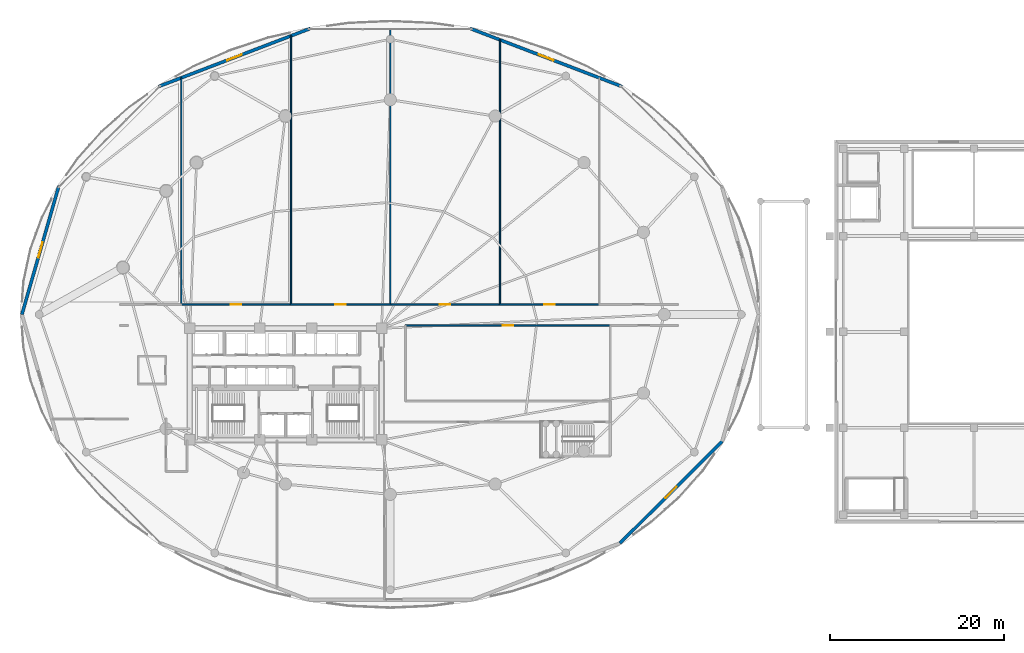
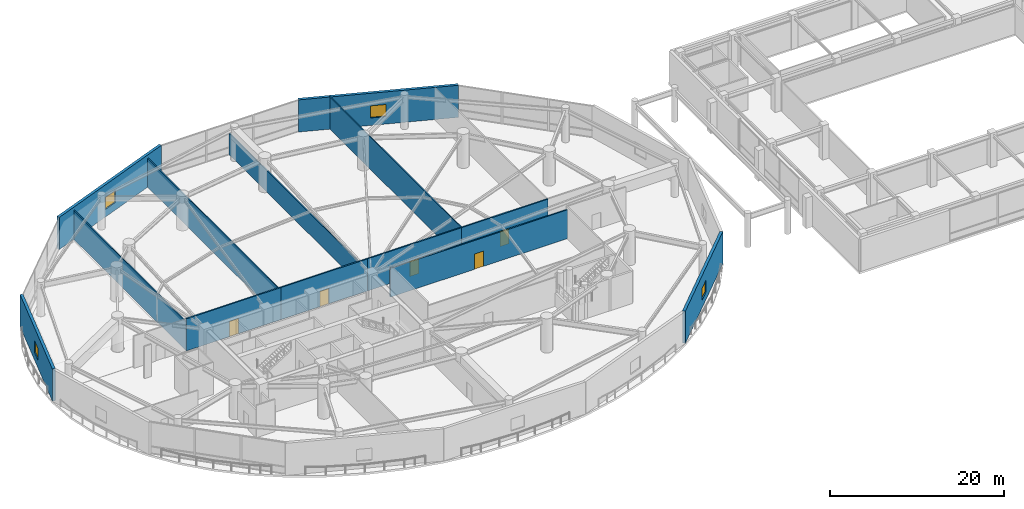
# One storey, part 29 of 36: 13 walls, 5 doors, 4 windows, 9 openings.
"""IFC4 building model written with IfcOpenShell, lengths in metres."""

from ifc_helpers import new_model, si_unit, direction, frame, frame_2d, origin, place, context, subcontext, project, spatial, rectangle, extrude, material, layer, layer_set, type_object, element, fill, save


model = new_model("IFC4")

# Units and contexts
model_context = context("Model", 3, precision=1e-05, world=origin(), true_north=direction((0.0, 1.0)))
body_context = subcontext(model_context, "Body", "Model", "MODEL_VIEW")
ifc_project = project(units=[si_unit("LENGTHUNIT", "METRE"), si_unit("AREAUNIT", "SQUARE_METRE"), si_unit("VOLUMEUNIT", "CUBIC_METRE"), si_unit("PLANEANGLEUNIT", "RADIAN"), si_unit("MASSUNIT", "GRAM", prefix="KILO")], contexts=[model_context])

# Site, building, storey
site_placement = place(None, origin())
site = spatial("IfcSite", under=ifc_project, at=site_placement, CompositionType="ELEMENT")
building_placement = place(site_placement, origin())
building = spatial("IfcBuilding", under=site, at=building_placement, Name="Kazevale Care Tower and Concert Hall", CompositionType="ELEMENT")
storey_placement = place(building_placement, frame((0.0, 0.0, 14.39990234375)))
storey = spatial("IfcBuildingStorey", under=building, at=storey_placement, Name="L03", CompositionType="ELEMENT", Elevation=14.39990234375)

# Walls
ifc_material_1 = material(Name="Acoustic Gypsum on Steel Stud", Category="steel")
ifc_layer_1 = layer(ifc_material_1, 0.139892578125)
ifc_layer_set_1 = layer_set([ifc_layer_1], Name="Acoustic Gypsum on Steel Stud")
wall_type_1 = type_object("IfcWallType", Name="Acoustic Care & Suite Partition 140", PredefinedType="PARTITIONING", material=ifc_layer_set_1)
wall_1_placement = place(storey_placement, frame((21.0, 65.14697265625, 0.0), z_axis=(0.0, 0.0, 1.0), x_axis=(0.0, -1.0, 0.0)))
element("IfcWall", 1, at=wall_1_placement, inside=storey, type_object=wall_type_1, Name="wall:L03:auto_017", PredefinedType="PARTITIONING", context=body_context, shape_type="SweptSolid", body=[
    extrude(rectangle(XDim=26.052001953125, YDim=0.139892578125, at=frame_2d((13.02587890625, 0.0))), origin(), (0.0, 0.0, 1.0), 4.050048828125),
])
wall_2_placement = place(storey_placement, frame((33.60009765625, 69.96630859375, 0.0), z_axis=(0.0, 0.0, 1.0), x_axis=(0.0, -1.0, 0.0)))
element("IfcWall", 2, at=wall_2_placement, inside=storey, type_object=wall_type_1, Name="wall:L03:auto_018", PredefinedType="PARTITIONING", context=body_context, shape_type="SweptSolid", body=[
    extrude(rectangle(XDim=30.871337890625, YDim=0.139892578125, at=frame_2d((15.435546875, 0.0))), origin(), (0.0, 0.0, 1.0), 4.050048828125),
])
wall_3_placement = place(storey_placement, frame((45.0, 70.72802734375, 0.0), z_axis=(0.0, 0.0, 1.0), x_axis=(0.0, -1.0, 0.0)))
element("IfcWall", 3, at=wall_3_placement, inside=storey, type_object=wall_type_1, Name="wall:L03:auto_019", PredefinedType="PARTITIONING", context=body_context, shape_type="SweptSolid", body=[
    extrude(rectangle(XDim=31.633056640625, YDim=0.139892578125, at=frame_2d((15.81640625, 0.0))), origin(), (0.0, 0.0, 1.0), 3.010009765625),
])
wall_4_placement = place(storey_placement, frame((57.60009765625, 69.507080078125, 0.0), z_axis=(0.0, 0.0, 1.0), x_axis=(0.0, -1.0, 0.0)))
element("IfcWall", 4, at=wall_4_placement, inside=storey, type_object=wall_type_1, Name="wall:L03:auto_020", PredefinedType="PARTITIONING", context=body_context, shape_type="SweptSolid", body=[
    extrude(rectangle(XDim=30.412109375, YDim=0.139892578125, at=frame_2d((15.2060546875, 0.0))), origin(), (0.0, 0.0, 1.0), 4.52001953125),
])

# Wall, opening, door
ifc_material_2 = material(Name="Concrete C40 and Acoustic Gypsum", Category="concrete")
ifc_layer_2 = layer(ifc_material_2, 0.179931640625)
ifc_layer_set_2 = layer_set([ifc_layer_2], Name="Concrete C40 and Acoustic Gypsum")
wall_type_2 = type_object("IfcWallType", Name="Fire-Rated Corridor & Party Wall 180", PredefinedType="PARTITIONING", material=ifc_layer_set_2)
wall_5_placement = place(storey_placement, frame((20.93505859375, 39.125, 0.0), z_axis=(0.0, 0.0, 1.0), x_axis=(1.0, 0.0, 0.0)))
wall_5 = element("IfcWall", 5, at=wall_5_placement, inside=storey, type_object=wall_type_2, Name="wall:L03:auto_002", PredefinedType="PARTITIONING", context=body_context, shape_type="SweptSolid", body=[
    extrude(rectangle(XDim=12.72998046875, YDim=0.179931640625, at=frame_2d((6.364990234375, 0.0))), origin(), (0.0, 0.0, 1.0), 4.52001953125),
])
opening_1_placement = place(wall_5_placement, frame((5.764892578125, 0.0, 0.0)))
opening_1 = element("IfcOpeningElement", 6, at=opening_1_placement, cuts=wall_5, Name="Opening ID-1200", PredefinedType="OPENING", context=body_context, shape_type="SweptSolid", body=[
    extrude(rectangle(XDim=1.199951171875, YDim=2.14990234375, at=frame_2d((0.60009765625, 1.074951171875))), frame((0.0, 0.099853515625, 0.0), z_axis=(0.0, -1.0, 0.0), x_axis=(1.0, 0.0, 0.0)), (0.0, 0.0, 1.0), 0.199951171875),
])
ifc_material_3 = material(Name="Oak Timber Fire Leaf", Category="wood")
door_type = type_object("IfcDoorType", Name="Clinical & Therapy Door 1200x2150", OperationType="NOTDEFINED", PredefinedType="DOOR", material=ifc_material_3)
door_1_placement = place(opening_1_placement, origin())
door_1 = element("IfcDoor", 7, at=door_1_placement, inside=storey, type_object=door_type, Name="door:L03:ad_002", OperationType="SINGLE_SWING_LEFT", OverallHeight=2.14990234375, OverallWidth=1.199951171875, PredefinedType="DOOR", context=body_context, shape_type="SweptSolid", body=[
    extrude(rectangle(XDim=1.199951171875, YDim=2.14990234375, at=frame_2d((0.60009765625, 1.074951171875))), frame((0.0, 0.02490234375, 0.0), z_axis=(0.0, -1.0, 0.0), x_axis=(1.0, 0.0, 0.0)), (0.0, 0.0, 1.0), 0.050048828125),
])
fill(opening_1, door_1)

wall_6_placement = place(storey_placement, frame((33.534912109375, 39.125, 0.0), z_axis=(0.0, 0.0, 1.0), x_axis=(1.0, 0.0, 0.0)))
wall_6 = element("IfcWall", 8, at=wall_6_placement, inside=storey, type_object=wall_type_2, Name="wall:L03:auto_003", PredefinedType="PARTITIONING", context=body_context, shape_type="SweptSolid", body=[
    extrude(rectangle(XDim=11.530029296875, YDim=0.179931640625, at=frame_2d((5.76513671875, 0.0))), origin(), (0.0, 0.0, 1.0), 4.52001953125),
])
opening_2_placement = place(wall_6_placement, frame((5.1650390625, 0.0, 0.0)))
opening_2 = element("IfcOpeningElement", 9, at=opening_2_placement, cuts=wall_6, Name="Opening ID-1200", PredefinedType="OPENING", context=body_context, shape_type="SweptSolid", body=[
    extrude(rectangle(XDim=1.199951171875, YDim=2.14990234375, at=frame_2d((0.60009765625, 1.074951171875))), frame((0.0, 0.099853515625, 0.0), z_axis=(0.0, -1.0, 0.0), x_axis=(1.0, 0.0, 0.0)), (0.0, 0.0, 1.0), 0.199951171875),
])
door_2_placement = place(opening_2_placement, origin())
door_2 = element("IfcDoor", 10, at=door_2_placement, inside=storey, type_object=door_type, Name="door:L03:ad_003", OperationType="SINGLE_SWING_LEFT", OverallHeight=2.14990234375, OverallWidth=1.199951171875, PredefinedType="DOOR", context=body_context, shape_type="SweptSolid", body=[
    extrude(rectangle(XDim=1.199951171875, YDim=2.14990234375, at=frame_2d((0.60009765625, 1.074951171875))), frame((0.0, 0.02490234375, 0.0), z_axis=(0.0, -1.0, 0.0), x_axis=(1.0, 0.0, 0.0)), (0.0, 0.0, 1.0), 0.050048828125),
])
fill(opening_2, door_2)

wall_7_placement = place(storey_placement, frame((44.93505859375, 39.125, 0.0), z_axis=(0.0, 0.0, 1.0), x_axis=(1.0, 0.0, 0.0)))
wall_7 = element("IfcWall", 11, at=wall_7_placement, inside=storey, type_object=wall_type_2, Name="wall:L03:auto_004", PredefinedType="PARTITIONING", context=body_context, shape_type="SweptSolid", body=[
    extrude(rectangle(XDim=12.72998046875, YDim=0.179931640625, at=frame_2d((6.364990234375, 0.0))), origin(), (0.0, 0.0, 1.0), 4.52001953125),
])
opening_3_placement = place(wall_7_placement, frame((5.764892578125, 0.0, 0.0)))
opening_3 = element("IfcOpeningElement", 12, at=opening_3_placement, cuts=wall_7, Name="Opening ID-1200", PredefinedType="OPENING", context=body_context, shape_type="SweptSolid", body=[
    extrude(rectangle(XDim=1.199951171875, YDim=2.14990234375, at=frame_2d((0.60009765625, 1.074951171875))), frame((0.0, 0.099853515625, 0.0), z_axis=(0.0, -1.0, 0.0), x_axis=(1.0, 0.0, 0.0)), (0.0, 0.0, 1.0), 0.199951171875),
])
door_3_placement = place(opening_3_placement, origin())
door_3 = element("IfcDoor", 13, at=door_3_placement, inside=storey, type_object=door_type, Name="door:L03:ad_004", OperationType="SINGLE_SWING_LEFT", OverallHeight=2.14990234375, OverallWidth=1.199951171875, PredefinedType="DOOR", context=body_context, shape_type="SweptSolid", body=[
    extrude(rectangle(XDim=1.199951171875, YDim=2.14990234375, at=frame_2d((0.60009765625, 1.074951171875))), frame((0.0, 0.02490234375, 0.0), z_axis=(0.0, -1.0, 0.0), x_axis=(1.0, 0.0, 0.0)), (0.0, 0.0, 1.0), 0.050048828125),
])
fill(opening_3, door_3)

wall_8_placement = place(storey_placement, frame((57.534912109375, 39.125, 0.0), z_axis=(0.0, 0.0, 1.0), x_axis=(1.0, 0.0, 0.0)))
wall_8 = element("IfcWall", 14, at=wall_8_placement, inside=storey, type_object=wall_type_2, Name="wall:L03:auto_005", PredefinedType="PARTITIONING", context=body_context, shape_type="SweptSolid", body=[
    extrude(rectangle(XDim=11.530029296875, YDim=0.179931640625, at=frame_2d((5.76513671875, 0.0))), origin(), (0.0, 0.0, 1.0), 4.52001953125),
])
opening_4_placement = place(wall_8_placement, frame((5.1650390625, 0.0, 0.0)))
opening_4 = element("IfcOpeningElement", 15, at=opening_4_placement, cuts=wall_8, Name="Opening ID-1200", PredefinedType="OPENING", context=body_context, shape_type="SweptSolid", body=[
    extrude(rectangle(XDim=1.199951171875, YDim=2.14990234375, at=frame_2d((0.60009765625, 1.074951171875))), frame((0.0, 0.099853515625, 0.0), z_axis=(0.0, -1.0, 0.0), x_axis=(1.0, 0.0, 0.0)), (0.0, 0.0, 1.0), 0.199951171875),
])
door_4_placement = place(opening_4_placement, origin())
door_4 = element("IfcDoor", 16, at=door_4_placement, inside=storey, type_object=door_type, Name="door:L03:ad_005", OperationType="SINGLE_SWING_LEFT", OverallHeight=2.14990234375, OverallWidth=1.199951171875, PredefinedType="DOOR", context=body_context, shape_type="SweptSolid", body=[
    extrude(rectangle(XDim=1.199951171875, YDim=2.14990234375, at=frame_2d((0.60009765625, 1.074951171875))), frame((0.0, 0.02490234375, 0.0), z_axis=(0.0, -1.0, 0.0), x_axis=(1.0, 0.0, 0.0)), (0.0, 0.0, 1.0), 0.050048828125),
])
fill(opening_4, door_4)

wall_9_placement = place(storey_placement, frame((70.31494140625, 36.72509765625, 0.0), z_axis=(0.0, 0.0, 1.0), x_axis=(-1.0, 0.0, 0.0)))
wall_9 = element("IfcWall", 17, at=wall_9_placement, inside=storey, type_object=wall_type_2, Name="wall:L03:auto_008", PredefinedType="PARTITIONING", context=body_context, shape_type="SweptSolid", body=[
    extrude(rectangle(XDim=23.619873046875, YDim=0.179931640625, at=frame_2d((11.81005859375, 0.0))), origin(), (0.0, 0.0, 1.0), 4.050048828125),
])
opening_5_placement = place(wall_9_placement, frame((11.2099609375, 0.0, 0.0)))
opening_5 = element("IfcOpeningElement", 18, at=opening_5_placement, cuts=wall_9, Name="Opening ID-1200", PredefinedType="OPENING", context=body_context, shape_type="SweptSolid", body=[
    extrude(rectangle(XDim=1.199951171875, YDim=2.14990234375, at=frame_2d((0.60009765625, 1.074951171875))), frame((0.0, 0.099853515625, 0.0), z_axis=(0.0, -1.0, 0.0), x_axis=(1.0, 0.0, 0.0)), (0.0, 0.0, 1.0), 0.199951171875),
])
door_5_placement = place(opening_5_placement, origin())
door_5 = element("IfcDoor", 19, at=door_5_placement, inside=storey, type_object=door_type, Name="door:L03:ad_008", OperationType="SINGLE_SWING_LEFT", OverallHeight=2.14990234375, OverallWidth=1.199951171875, PredefinedType="DOOR", context=body_context, shape_type="SweptSolid", body=[
    extrude(rectangle(XDim=1.199951171875, YDim=2.14990234375, at=frame_2d((0.60009765625, 1.074951171875))), frame((0.0, 0.02490234375, 0.0), z_axis=(0.0, -1.0, 0.0), x_axis=(1.0, 0.0, 0.0)), (0.0, 0.0, 1.0), 0.050048828125),
])
fill(opening_5, door_5)

# Wall, opening, window
ifc_material_4 = material(Name="Concrete C40 with Honed Limestone Cladding", Category="masonry")
ifc_layer_3 = layer(ifc_material_4, 0.360107421875)
ifc_layer_set_3 = layer_set([ifc_layer_3], Name="Concrete C40 with Honed Limestone Cladding")
wall_type_3 = type_object("IfcWallType", Name="Podium Insulated Limestone Wall 360", PredefinedType="STANDARD", material=ifc_layer_set_3)
wall_10_placement = place(storey_placement, frame((71.60400390625, 64.160888671875, 0.0), z_axis=(0.0, 0.0, 1.0), x_axis=(-0.934010262022, 0.357246176238, 0.0)))
wall_10 = element("IfcWall", 20, at=wall_10_placement, inside=storey, type_object=wall_type_3, Name="wall:L03:podew:03", PredefinedType="STANDARD", context=body_context, shape_type="SweptSolid", body=[
    extrude(rectangle(XDim=18.671142578125, YDim=0.360107421875, at=frame_2d((9.33544921875, 0.0))), origin(), (0.0, 0.0, 1.0), 4.52001953125),
])
opening_6_placement = place(wall_10_placement, frame((8.43603515625, 0.0, 1.050048828125)))
opening_6 = element("IfcOpeningElement", 21, at=opening_6_placement, cuts=wall_10, Name="Opening WIN-2", PredefinedType="OPENING", context=body_context, shape_type="SweptSolid", body=[
    extrude(rectangle(XDim=1.800048828125, YDim=1.699951171875, at=frame_2d((0.89990234375, 0.85009765625))), frame((0.0, 0.18994140625, 0.0), z_axis=(0.0, -1.0, 0.0), x_axis=(1.0, 0.0, 0.0)), (0.0, 0.0, 1.0), 0.380126953125),
])
ifc_material_5 = material(Name="Low-E Laminated Glass", Category="glass")
window_type = type_object("IfcWindowType", Name="Clinical Punched Window 1800x1700", PartitioningType="DOUBLE_PANEL_VERTICAL", PredefinedType="WINDOW", material=ifc_material_5)
window_1_placement = place(opening_6_placement, origin())
window_1 = element("IfcWindow", 22, at=window_1_placement, inside=storey, type_object=window_type, Name="win:L03:pod:03", OverallHeight=1.699951171875, OverallWidth=1.800048828125, PartitioningType="SINGLE_PANEL", PredefinedType="WINDOW", context=body_context, shape_type="SweptSolid", body=[
    extrude(rectangle(XDim=1.800048828125, YDim=1.699951171875, at=frame_2d((0.89990234375, 0.85009765625))), frame((0.0, 0.030029296875, 0.0), z_axis=(0.0, -1.0, 0.0), x_axis=(1.0, 0.0, 0.0)), (0.0, 0.0, 1.0), 0.06005859375),
])
fill(opening_6, window_1)

wall_11_placement = place(storey_placement, frame((35.8349609375, 70.8310546875, 0.0), z_axis=(0.0, 0.0, 1.0), x_axis=(-0.934010262022, -0.357246176238, 0.0)))
wall_11 = element("IfcWall", 23, at=wall_11_placement, inside=storey, type_object=wall_type_3, Name="wall:L03:podew:05", PredefinedType="STANDARD", context=body_context, shape_type="SweptSolid", body=[
    extrude(rectangle(XDim=18.671142578125, YDim=0.360107421875, at=frame_2d((9.33544921875, 0.0))), origin(), (0.0, 0.0, 1.0), 4.52001953125),
])
opening_7_placement = place(wall_11_placement, frame((8.43603515625, 0.0, 1.050048828125)))
opening_7 = element("IfcOpeningElement", 24, at=opening_7_placement, cuts=wall_11, Name="Opening WIN-2", PredefinedType="OPENING", context=body_context, shape_type="SweptSolid", body=[
    extrude(rectangle(XDim=1.800048828125, YDim=1.699951171875, at=frame_2d((0.89990234375, 0.85009765625))), frame((0.0, 0.18994140625, 0.0), z_axis=(0.0, -1.0, 0.0), x_axis=(1.0, 0.0, 0.0)), (0.0, 0.0, 1.0), 0.380126953125),
])
window_2_placement = place(opening_7_placement, origin())
window_2 = element("IfcWindow", 25, at=window_2_placement, inside=storey, type_object=window_type, Name="win:L03:pod:05", OverallHeight=1.699951171875, OverallWidth=1.800048828125, PartitioningType="SINGLE_PANEL", PredefinedType="WINDOW", context=body_context, shape_type="SweptSolid", body=[
    extrude(rectangle(XDim=1.800048828125, YDim=1.699951171875, at=frame_2d((0.89990234375, 0.85009765625))), frame((0.0, 0.030029296875, 0.0), z_axis=(0.0, -1.0, 0.0), x_axis=(1.0, 0.0, 0.0)), (0.0, 0.0, 1.0), 0.06005859375),
])
fill(opening_7, window_2)

wall_12_placement = place(storey_placement, frame((6.97900390625, 52.820068359375, 0.0), z_axis=(0.0, 0.0, 1.0), x_axis=(-0.276203409751, -0.961099202186, 0.0)))
wall_12 = element("IfcWall", 26, at=wall_12_placement, inside=storey, type_object=wall_type_3, Name="wall:L03:podew:07", PredefinedType="STANDARD", context=body_context, shape_type="SweptSolid", body=[
    extrude(rectangle(XDim=15.419921875, YDim=0.360107421875, at=frame_2d((7.7099609375, 0.0))), origin(), (0.0, 0.0, 1.0), 4.52001953125),
])
opening_8_placement = place(wall_12_placement, frame((6.81005859375, 0.0, 1.050048828125)))
opening_8 = element("IfcOpeningElement", 27, at=opening_8_placement, cuts=wall_12, Name="Opening WIN-2", PredefinedType="OPENING", context=body_context, shape_type="SweptSolid", body=[
    extrude(rectangle(XDim=1.800048828125, YDim=1.699951171875, at=frame_2d((0.89990234375, 0.85009765625))), frame((0.0, 0.18994140625, 0.0), z_axis=(0.0, -1.0, 0.0), x_axis=(1.0, 0.0, 0.0)), (0.0, 0.0, 1.0), 0.380126953125),
])
window_3_placement = place(opening_8_placement, origin())
window_3 = element("IfcWindow", 28, at=window_3_placement, inside=storey, type_object=window_type, Name="win:L03:pod:07", OverallHeight=1.699951171875, OverallWidth=1.800048828125, PartitioningType="SINGLE_PANEL", PredefinedType="WINDOW", context=body_context, shape_type="SweptSolid", body=[
    extrude(rectangle(XDim=1.800048828125, YDim=1.699951171875, at=frame_2d((0.89990234375, 0.85009765625))), frame((0.0, 0.030029296875, 0.0), z_axis=(0.0, -1.0, 0.0), x_axis=(1.0, 0.0, 0.0)), (0.0, 0.0, 1.0), 0.06005859375),
])
fill(opening_8, window_3)

wall_13_placement = place(storey_placement, frame((71.361083984375, 11.74609375, 0.0), z_axis=(0.0, 0.0, 1.0), x_axis=(0.708557675059, 0.705652904135, 0.0)))
wall_13 = element("IfcWall", 29, at=wall_13_placement, inside=storey, type_object=wall_type_3, Name="wall:L03:podew:13", PredefinedType="STANDARD", context=body_context, shape_type="SweptSolid", body=[
    extrude(rectangle(XDim=16.557373046875, YDim=0.360107421875, at=frame_2d((8.27880859375, 0.0))), origin(), (0.0, 0.0, 1.0), 4.52001953125),
])
opening_9_placement = place(wall_13_placement, frame((7.37890625, 0.0, 1.050048828125)))
opening_9 = element("IfcOpeningElement", 30, at=opening_9_placement, cuts=wall_13, Name="Opening WIN-2", PredefinedType="OPENING", context=body_context, shape_type="SweptSolid", body=[
    extrude(rectangle(XDim=1.800048828125, YDim=1.699951171875, at=frame_2d((0.89990234375, 0.85009765625))), frame((0.0, 0.18994140625, 0.0), z_axis=(0.0, -1.0, 0.0), x_axis=(1.0, 0.0, 0.0)), (0.0, 0.0, 1.0), 0.380126953125),
])
window_4_placement = place(opening_9_placement, origin())
window_4 = element("IfcWindow", 31, at=window_4_placement, inside=storey, type_object=window_type, Name="win:L03:pod:13", OverallHeight=1.699951171875, OverallWidth=1.800048828125, PartitioningType="SINGLE_PANEL", PredefinedType="WINDOW", context=body_context, shape_type="SweptSolid", body=[
    extrude(rectangle(XDim=1.800048828125, YDim=1.699951171875, at=frame_2d((0.89990234375, 0.85009765625))), frame((0.0, 0.030029296875, 0.0), z_axis=(0.0, -1.0, 0.0), x_axis=(1.0, 0.0, 0.0)), (0.0, 0.0, 1.0), 0.06005859375),
])
fill(opening_9, window_4)

save(model, "model.ifc")
